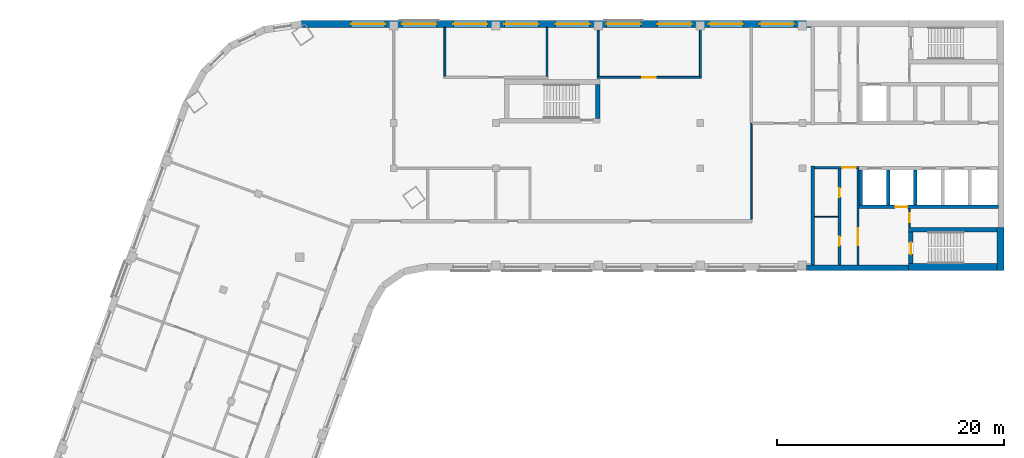
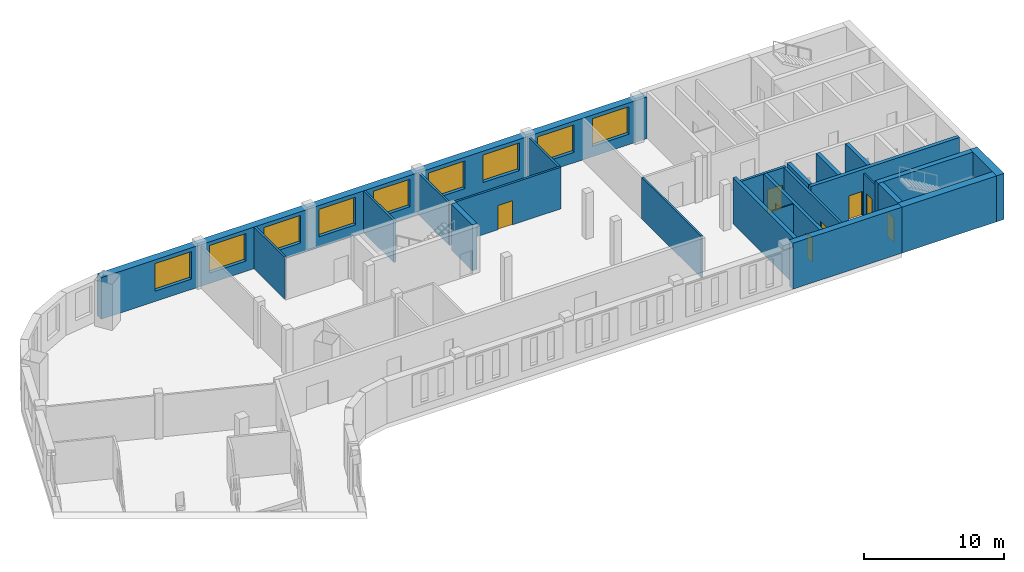
# One storey, part 5 of 8: 23 walls, 9 windows, 8 doors, 17 openings.
"""IFC4 building model written with IfcOpenShell, lengths in metres."""

from ifc_helpers import new_model, si_unit, direction, frame, frame_2d, origin, place, context, subcontext, project, spatial, rectangle, extrude, material, layer, layer_set, type_object, element, fill, save


model = new_model("IFC4")

# Units and contexts
model_context = context("Model", 3, precision=1e-05, world=origin(), true_north=direction((0.0, 1.0)))
body_context = subcontext(model_context, "Body", "Model", "MODEL_VIEW")
ifc_project = project(units=[si_unit("LENGTHUNIT", "METRE"), si_unit("AREAUNIT", "SQUARE_METRE"), si_unit("VOLUMEUNIT", "CUBIC_METRE"), si_unit("PLANEANGLEUNIT", "RADIAN"), si_unit("MASSUNIT", "GRAM", prefix="KILO")], contexts=[model_context])

# Site, building, storey
site_placement = place(None, origin())
site = spatial("IfcSite", under=ifc_project, at=site_placement, CompositionType="ELEMENT")
building_placement = place(site_placement, origin())
building = spatial("IfcBuilding", under=site, at=building_placement, Name="Skarvind Civic Tower", CompositionType="ELEMENT")
storey_placement = place(building_placement, frame((0.0, 0.0, 232.0)))
storey = spatial("IfcBuildingStorey", under=building, at=storey_placement, Name="L55", CompositionType="ELEMENT", Elevation=232.0)

# Walls
ifc_material_1 = material(Name="Acoustic gypsum board on steel studs", Category="steel")
ifc_layer_1 = layer(ifc_material_1, 0.175048828125)
ifc_layer_set_1 = layer_set([ifc_layer_1], Name="ACOUSTIC MEETING-ROOM PARTITION 175")
wall_type_1 = type_object("IfcWallType", Name="ACOUSTIC MEETING-ROOM PARTITION 175", PredefinedType="PARTITIONING", material=ifc_layer_set_1)
for number, where, z_axis, x_axis, name in (
    (1, (58.75, 134.087890625, 0.0), (0.0, 0.0, 1.0), (0.0, 1.0, 0.0), "Partition 55.033"),
    (2, (67.75, 138.39990234375, 0.0), (0.0, 0.0, 1.0), (0.0, -1.0, 0.0), "Partition 55.039"),
    (3, (72.25, 134.087890625, 0.0), (0.0, 0.0, 1.0), (0.0, 1.0, 0.0), "Partition 55.040"),
):
    element("IfcWall", number, at=place(storey_placement, frame(where, z_axis=z_axis, x_axis=x_axis)), inside=storey, type_object=wall_type_1, Name=name, PredefinedType="PARTITIONING", context=body_context, shape_type="SweptSolid", body=[
        extrude(rectangle(XDim=4.31201171875, YDim=0.175048828125, at=frame_2d((2.156005859375, 0.0))), origin(), (0.0, 0.0, 1.0), 3.625),
    ])

# Wall, opening, door
wall_1_placement = place(storey_placement, frame((81.337890625, 134.0, 0.0), z_axis=(0.0, 0.0, 1.0), x_axis=(-1.0, 0.0, 0.0)))
wall_1 = element("IfcWall", 4, at=wall_1_placement, inside=storey, type_object=wall_type_1, Name="Partition 55.041", PredefinedType="PARTITIONING", context=body_context, shape_type="SweptSolid", body=[
    extrude(rectangle(XDim=9.17578125, YDim=0.175048828125, at=frame_2d((4.587890625, 0.0))), origin(), (0.0, 0.0, 1.0), 3.625),
])
opening_1_placement = place(wall_1_placement, frame((3.988037109375, 0.0, 0.0)))
opening_1 = element("IfcOpeningElement", 5, at=opening_1_placement, cuts=wall_1, Name="Opening L55-D004", PredefinedType="OPENING", context=body_context, shape_type="SweptSolid", body=[
    extrude(rectangle(XDim=1.199951171875, YDim=2.10009765625, at=frame_2d((0.60009765625, 1.050048828125))), frame((0.0, 0.097412109375, 0.0), z_axis=(0.0, -1.0, 0.0), x_axis=(1.0, 0.0, 0.0)), (0.0, 0.0, 1.0), 0.195068359375),
])
ifc_material_2 = material(Name="Timber door leaf", Category="wood")
door_type_1 = type_object("IfcDoorType", Name="DOOR 1200X2100 DOUBLE TIMBER", OperationType="NOTDEFINED", PredefinedType="DOOR", material=ifc_material_2)
door_1_placement = place(opening_1_placement, origin())
door_1 = element("IfcDoor", 6, at=door_1_placement, inside=storey, type_object=door_type_1, Name="Door L55-D004", OperationType="DOUBLE_DOOR_SINGLE_SWING", OverallHeight=2.10009765625, OverallWidth=1.199951171875, PredefinedType="DOOR", context=body_context, shape_type="SweptSolid", body=[
    extrude(rectangle(XDim=1.199951171875, YDim=2.10009765625, at=frame_2d((0.60009765625, 1.050048828125))), frame((0.0, 0.02490234375, 0.0), z_axis=(0.0, -1.0, 0.0), x_axis=(1.0, 0.0, 0.0)), (0.0, 0.0, 1.0), 0.050048828125),
])
fill(opening_1, door_1)

# Wall
wall_2_placement = place(storey_placement, frame((81.25, 138.39990234375, 0.0), z_axis=(0.0, 0.0, 1.0), x_axis=(0.0, -1.0, 0.0)))
element("IfcWall", 7, at=wall_2_placement, inside=storey, type_object=wall_type_1, Name="Partition 55.042", PredefinedType="PARTITIONING", context=body_context, shape_type="SweptSolid", body=[
    extrude(rectangle(XDim=4.31201171875, YDim=0.175048828125, at=frame_2d((2.156005859375, 0.0))), origin(), (0.0, 0.0, 1.0), 3.625),
])

# Wall, opening, door
ifc_material_3 = material(Name="Fire-rated masonry partition", Category="masonry")
ifc_layer_2 = layer(ifc_material_3, 0.199951171875)
ifc_layer_set_2 = layer_set([ifc_layer_2], Name="Core enclosure wall 200")
wall_type_2 = type_object("IfcWallType", Name="Core enclosure wall 200", PredefinedType="PARTITIONING", material=ifc_layer_set_2)
wall_3_placement = place(storey_placement, frame((95.25, 126.050048828125, 0.0), z_axis=(0.0, 0.0, 1.0), x_axis=(-1.0, 0.0, 0.0)))
wall_3 = element("IfcWall", 8, at=wall_3_placement, inside=storey, type_object=wall_type_2, Name="Core wall C1", PredefinedType="PARTITIONING", context=body_context, shape_type="SweptSolid", body=[
    extrude(rectangle(XDim=3.949951171875, YDim=0.199951171875, at=frame_2d((1.97509765625, 0.0))), origin(), (0.0, 0.0, 1.0), 3.625),
])
opening_2_placement = place(wall_3_placement, frame((0.300048828125, 0.0, 0.0)))
opening_2 = element("IfcOpeningElement", 9, at=opening_2_placement, cuts=wall_3, Name="Opening D-L55-C1-07", PredefinedType="OPENING", context=body_context, shape_type="SweptSolid", body=[
    extrude(rectangle(XDim=1.199951171875, YDim=2.10009765625, at=frame_2d((0.60009765625, 1.050048828125))), frame((0.0, 0.10986328125, 0.0), z_axis=(0.0, -1.0, 0.0), x_axis=(1.0, 0.0, 0.0)), (0.0, 0.0, 1.0), 0.219970703125),
])
ifc_material_4 = material(Name="Fire-rated steel door", Category="steel")
door_type_2 = type_object("IfcDoorType", Name="Core lobby door 1200", OperationType="NOTDEFINED", PredefinedType="DOOR", material=ifc_material_4)
door_2_placement = place(opening_2_placement, origin())
door_2 = element("IfcDoor", 10, at=door_2_placement, inside=storey, type_object=door_type_2, Name="Fire door", OperationType="DOUBLE_DOOR_SINGLE_SWING", OverallHeight=2.10009765625, OverallWidth=1.199951171875, PredefinedType="DOOR", context=body_context, shape_type="SweptSolid", body=[
    extrude(rectangle(XDim=1.199951171875, YDim=2.10009765625, at=frame_2d((0.60009765625, 1.050048828125))), frame((0.0, 0.02490234375, 0.0), z_axis=(0.0, -1.0, 0.0), x_axis=(1.0, 0.0, 0.0)), (0.0, 0.0, 1.0), 0.050048828125),
])
fill(opening_2, door_2)

wall_4_placement = place(storey_placement, frame((95.14990234375, 117.5, 0.0), z_axis=(0.0, 0.0, 1.0), x_axis=(0.0, 1.0, 0.0)))
wall_4 = element("IfcWall", 11, at=wall_4_placement, inside=storey, type_object=wall_type_2, Name="Core wall C1", PredefinedType="PARTITIONING", context=body_context, shape_type="SweptSolid", body=[
    extrude(rectangle(XDim=8.449951171875, YDim=0.199951171875, at=frame_2d((4.22509765625, 0.0))), origin(), (0.0, 0.0, 1.0), 3.625),
])
opening_3_placement = place(wall_4_placement, frame((1.72509765625, 0.0, 0.0)))
opening_3 = element("IfcOpeningElement", 12, at=opening_3_placement, cuts=wall_4, Name="Opening D-L55-C1-08", PredefinedType="OPENING", context=body_context, shape_type="SweptSolid", body=[
    extrude(rectangle(XDim=1.5, YDim=2.10009765625, at=frame_2d((0.75, 1.050048828125))), frame((0.0, 0.10986328125, 0.0), z_axis=(0.0, -1.0, 0.0), x_axis=(1.0, 0.0, 0.0)), (0.0, 0.0, 1.0), 0.219970703125),
])
door_type_3 = type_object("IfcDoorType", Name="Fire door 1500", OperationType="NOTDEFINED", PredefinedType="DOOR", material=ifc_material_4)
door_3_placement = place(opening_3_placement, origin())
door_3 = element("IfcDoor", 13, at=door_3_placement, inside=storey, type_object=door_type_3, Name="Fire door", OperationType="DOUBLE_DOOR_SINGLE_SWING", OverallHeight=2.10009765625, OverallWidth=1.5, PredefinedType="DOOR", context=body_context, shape_type="SweptSolid", body=[
    extrude(rectangle(XDim=1.5, YDim=2.10009765625, at=frame_2d((0.75, 1.050048828125))), frame((0.0, 0.02490234375, 0.0), z_axis=(0.0, -1.0, 0.0), x_axis=(1.0, 0.0, 0.0)), (0.0, 0.0, 1.0), 0.050048828125),
])
fill(opening_3, door_3)

# Wall
ifc_material_5 = material(Name="Fire-rated plasterboard partition")
ifc_layer_3 = layer(ifc_material_5, 0.10009765625)
ifc_layer_set_3 = layer_set([ifc_layer_3], Name="Core partition wall 100")
wall_type_3 = type_object("IfcWallType", Name="Core partition wall 100", PredefinedType="PARTITIONING", material=ifc_layer_set_3)
wall_5_placement = place(storey_placement, frame((93.39990234375, 121.719970703125, 0.0), z_axis=(0.0, 0.0, 1.0), x_axis=(-1.0, 0.0, 0.0)))
element("IfcWall", 14, at=wall_5_placement, inside=storey, type_object=wall_type_3, Name="Core wall C1", PredefinedType="PARTITIONING", context=body_context, shape_type="SweptSolid", body=[
    extrude(rectangle(XDim=2.099853515625, YDim=0.10009765625, at=frame_2d((1.0498046875, 0.0))), origin(), (0.0, 0.0, 1.0), 3.625),
])

# Wall, opening, door
ifc_material_6 = material(Name="Concrete C60", Category="concrete")
ifc_layer_4 = layer(ifc_material_6, 0.300048828125)
ifc_layer_set_4 = layer_set([ifc_layer_4], Name="Core wall 300 C60")
wall_type_4 = type_object("IfcWallType", Name="Core wall 300 C60", PredefinedType="SHEAR", material=ifc_layer_set_4)
wall_6_placement = place(storey_placement, frame((107.5, 122.60009765625, 0.0), z_axis=(0.0, 0.0, 1.0), x_axis=(-1.0, 0.0, 0.0)))
wall_6 = element("IfcWall", 15, at=wall_6_placement, inside=storey, type_object=wall_type_4, Name="Core wall C1 north lift row back L55", PredefinedType="SHEAR", context=body_context, shape_type="SweptSolid", body=[
    extrude(rectangle(XDim=12.25, YDim=0.300048828125, at=frame_2d((6.125, 0.0))), origin(), (0.0, 0.0, 1.0), 4.0),
])
opening_4_placement = place(wall_6_placement, frame((8.0, 0.0, 0.0)))
opening_4 = element("IfcOpeningElement", 16, at=opening_4_placement, cuts=wall_6, Name="Opening LD57104", PredefinedType="OPENING", context=body_context, shape_type="SweptSolid", body=[
    extrude(rectangle(XDim=1.10009765625, YDim=2.10009765625, at=frame_2d((0.550048828125, 1.050048828125))), frame((0.0, 0.159912109375, 0.0), z_axis=(0.0, -1.0, 0.0), x_axis=(1.0, 0.0, 0.0)), (0.0, 0.0, 1.0), 0.320068359375),
])
ifc_material_7 = material(Name="Stainless steel landing door", Category="steel")
door_type_4 = type_object("IfcDoorType", Name="Lift landing door 1100", OperationType="DOUBLE_DOOR_SLIDING", PredefinedType="DOOR", material=ifc_material_7)
door_4_placement = place(opening_4_placement, origin())
door_4 = element("IfcDoor", 17, at=door_4_placement, inside=storey, type_object=door_type_4, Name="Lift landing door", OperationType="DOUBLE_DOOR_SLIDING", OverallHeight=2.10009765625, OverallWidth=1.10009765625, PredefinedType="DOOR", context=body_context, shape_type="SweptSolid", body=[
    extrude(rectangle(XDim=1.10009765625, YDim=2.10009765625, at=frame_2d((0.550048828125, 1.050048828125))), frame((0.0, 0.02490234375, 0.0), z_axis=(0.0, -1.0, 0.0), x_axis=(1.0, 0.0, 0.0)), (0.0, 0.0, 1.0), 0.050048828125),
])
fill(opening_4, door_4)

# Walls
for number, where, z_axis, x_axis, name in (
    (18, (100.199951171875, 125.85009765625, 0.0), (0.0, 0.0, 1.0), (0.0, -1.0, 0.0), "Core wall C1 north lift row division 3 L55"),
    (19, (97.800048828125, 125.85009765625, 0.0), (0.0, 0.0, 1.0), (0.0, -1.0, 0.0), "Core wall C1 north lift row division 4 L55"),
    (20, (95.39990234375, 125.85009765625, 0.0), (0.0, 0.0, 1.0), (0.0, -1.0, 0.0), "Core wall C1 north lift row division 5 L55"),
):
    element("IfcWall", number, at=place(storey_placement, frame(where, z_axis=z_axis, x_axis=x_axis)), inside=storey, type_object=wall_type_4, Name=name, PredefinedType="SHEAR", context=body_context, shape_type="SweptSolid", body=[
        extrude(rectangle(XDim=3.10009765625, YDim=0.300048828125, at=frame_2d((1.550048828125, 0.0))), origin(), (0.0, 0.0, 1.0), 4.0),
    ])
wall_7_placement = place(storey_placement, frame((91.14990234375, 126.199951171875, 0.0), z_axis=(0.0, 0.0, 1.0), x_axis=(0.0, -1.0, 0.0)))
element("IfcWall", 21, at=wall_7_placement, inside=storey, type_object=wall_type_4, Name="Core wall C1 north inner face L55", PredefinedType="SHEAR", context=body_context, shape_type="SweptSolid", body=[
    extrude(rectangle(XDim=8.699951171875, YDim=0.300048828125, at=frame_2d((4.35009765625, 0.0))), origin(), (0.0, 0.0, 1.0), 4.0),
])
ifc_layer_5 = layer(ifc_material_6, 0.39990234375)
ifc_layer_set_5 = layer_set([ifc_layer_5], Name="Core wall 400 C60")
wall_type_5 = type_object("IfcWallType", Name="Core wall 400 C60", PredefinedType="SHEAR", material=ifc_layer_set_5)
wall_8_placement = place(storey_placement, frame((107.39990234375, 120.60009765625, 0.0), z_axis=(0.0, 0.0, 1.0), x_axis=(-1.0, 0.0, 0.0)))
element("IfcWall", 22, at=wall_8_placement, inside=storey, type_object=wall_type_5, Name="Core wall C1 north stair inner L55", PredefinedType="SHEAR", context=body_context, shape_type="SweptSolid", body=[
    extrude(rectangle(XDim=7.7998046875, YDim=0.39990234375, at=frame_2d((3.89990234375, 0.0))), origin(), (0.0, 0.0, 1.0), 4.0),
])

# Wall, opening, door
wall_9_placement = place(storey_placement, frame((99.800048828125, 120.39990234375, 0.0), z_axis=(0.0, 0.0, 1.0), x_axis=(0.0, -1.0, 0.0)))
wall_9 = element("IfcWall", 23, at=wall_9_placement, inside=storey, type_object=wall_type_5, Name="Core wall C1 north stair end L55", PredefinedType="SHEAR", context=body_context, shape_type="SweptSolid", body=[
    extrude(rectangle(XDim=2.7998046875, YDim=0.39990234375, at=frame_2d((1.39990234375, 0.0))), origin(), (0.0, 0.0, 1.0), 4.0),
])
opening_5_placement = place(wall_9_placement, frame((0.949951171875, 0.0, 0.0)))
opening_5 = element("IfcOpeningElement", 24, at=opening_5_placement, cuts=wall_9, Name="Opening D-L55-C1-09", PredefinedType="OPENING", context=body_context, shape_type="SweptSolid", body=[
    extrude(rectangle(XDim=1.0, YDim=2.10009765625, at=frame_2d((0.5, 1.050048828125))), frame((0.0, 0.2099609375, 0.0), z_axis=(0.0, -1.0, 0.0), x_axis=(1.0, 0.0, 0.0)), (0.0, 0.0, 1.0), 0.419921875),
])
door_type_5 = type_object("IfcDoorType", Name="Fire door 1000", OperationType="NOTDEFINED", PredefinedType="DOOR", material=ifc_material_4)
door_5_placement = place(opening_5_placement, origin())
door_5 = element("IfcDoor", 25, at=door_5_placement, inside=storey, type_object=door_type_5, Name="Fire door", OperationType="SINGLE_SWING_LEFT", OverallHeight=2.10009765625, OverallWidth=1.0, PredefinedType="DOOR", context=body_context, shape_type="SweptSolid", body=[
    extrude(rectangle(XDim=1.0, YDim=2.10009765625, at=frame_2d((0.5, 1.050048828125))), frame((0.0, 0.02490234375, 0.0), z_axis=(0.0, -1.0, 0.0), x_axis=(1.0, 0.0, 0.0)), (0.0, 0.0, 1.0), 0.050048828125),
])
fill(opening_5, door_5)

# Walls
wall_10_placement = place(storey_placement, frame((72.199951171875, 130.39990234375, 0.0), z_axis=(0.0, 0.0, 1.0), x_axis=(0.0, 1.0, 0.0)))
element("IfcWall", 26, at=wall_10_placement, inside=storey, type_object=wall_type_5, Name="Core wall CM end L55", PredefinedType="SHEAR", context=body_context, shape_type="SweptSolid", body=[
    extrude(rectangle(XDim=3.0, YDim=0.39990234375, at=frame_2d((1.5, 0.0))), origin(), (0.0, 0.0, 1.0), 4.0),
])
ifc_layer_6 = layer(ifc_material_6, 0.5)
ifc_layer_set_6 = layer_set([ifc_layer_6], Name="Core wall 500 C60")
wall_type_6 = type_object("IfcWallType", Name="Core wall 500 C60", PredefinedType="SHEAR", material=ifc_layer_set_6)
wall_11_placement = place(storey_placement, frame((99.60009765625, 117.25, 0.0), z_axis=(0.0, 0.0, 1.0), x_axis=(-1.0, 0.0, 0.0)))
element("IfcWall", 27, at=wall_11_placement, inside=storey, type_object=wall_type_6, Name="Core wall C1 north side L55", PredefinedType="SHEAR", context=body_context, shape_type="SweptSolid", body=[
    extrude(rectangle(XDim=8.97509765625, YDim=0.5, at=frame_2d((4.487548828125, 0.0))), origin(), (0.0, 0.0, 1.0), 4.0),
])
ifc_layer_7 = layer(ifc_material_6, 0.60009765625)
ifc_layer_set_7 = layer_set([ifc_layer_7], Name="Core wall 600 C60")
wall_type_7 = type_object("IfcWallType", Name="Core wall 600 C60", PredefinedType="SHEAR", material=ifc_layer_set_7)
wall_12_placement = place(storey_placement, frame((107.699951171875, 120.800048828125, 0.0), z_axis=(0.0, 0.0, 1.0), x_axis=(0.0, -1.0, 0.0)))
element("IfcWall", 28, at=wall_12_placement, inside=storey, type_object=wall_type_7, Name="Core wall C1 tip at the north stair L55", PredefinedType="SHEAR", context=body_context, shape_type="SweptSolid", body=[
    extrude(rectangle(XDim=3.800048828125, YDim=0.60009765625, at=frame_2d((1.89990234375, 0.0))), origin(), (0.0, 0.0, 1.0), 4.0),
])
wall_13_placement = place(storey_placement, frame((107.39990234375, 117.300048828125, 0.0), z_axis=(0.0, 0.0, 1.0), x_axis=(-1.0, 0.0, 0.0)))
element("IfcWall", 29, at=wall_13_placement, inside=storey, type_object=wall_type_7, Name="Core wall C1 north side at the stair L55", PredefinedType="SHEAR", context=body_context, shape_type="SweptSolid", body=[
    extrude(rectangle(XDim=7.7998046875, YDim=0.60009765625, at=frame_2d((3.89990234375, 0.0))), origin(), (0.0, 0.0, 1.0), 4.0),
])
ifc_material_8 = material(Name="Plasterboard partition on steel studs", Category="steel")
ifc_layer_8 = layer(ifc_material_8, 0.14990234375)
ifc_layer_set_8 = layer_set([ifc_layer_8], Name="PARTITION 150")
wall_type_8 = type_object("IfcWallType", Name="PARTITION 150", PredefinedType="PARTITIONING", material=ifc_layer_set_8)
wall_14_placement = place(storey_placement, frame((85.75, 121.5, 0.0), z_axis=(0.0, 0.0, 1.0), x_axis=(0.0, 1.0, 0.0)))
element("IfcWall", 30, at=wall_14_placement, inside=storey, type_object=wall_type_8, Name="Partition 55.043", PredefinedType="PARTITIONING", context=body_context, shape_type="SweptSolid", body=[
    extrude(rectangle(XDim=8.449951171875, YDim=0.14990234375, at=frame_2d((4.22509765625, 0.0))), origin(), (0.0, 0.0, 1.0), 3.625),
])

# Wall, opening, door
ifc_layer_9 = layer(ifc_material_3, 0.125)
ifc_layer_set_9 = layer_set([ifc_layer_9], Name="Riser wall 125")
wall_type_9 = type_object("IfcWallType", Name="Riser wall 125", PredefinedType="PARTITIONING", material=ifc_layer_set_9)
wall_15_placement = place(storey_placement, frame((99.66259765625, 120.800048828125, 0.0), z_axis=(0.0, 0.0, 1.0), x_axis=(0.0, 1.0, 0.0)))
wall_15 = element("IfcWall", 31, at=wall_15_placement, inside=storey, type_object=wall_type_9, Name="Core wall C1", PredefinedType="PARTITIONING", context=body_context, shape_type="SweptSolid", body=[
    extrude(rectangle(XDim=1.64990234375, YDim=0.125, at=frame_2d((0.824951171875, 0.0))), origin(), (0.0, 0.0, 1.0), 3.625),
])
opening_6_placement = place(wall_15_placement, frame((0.425048828125, 0.0, 0.0)))
opening_6 = element("IfcOpeningElement", 32, at=opening_6_placement, cuts=wall_15, Name="Opening D-L55-C1-10", PredefinedType="OPENING", context=body_context, shape_type="SweptSolid", body=[
    extrude(rectangle(XDim=0.800048828125, YDim=2.10009765625, at=frame_2d((0.39990234375, 1.050048828125))), frame((0.0, 0.072509765625, 0.0), z_axis=(0.0, -1.0, 0.0), x_axis=(1.0, 0.0, 0.0)), (0.0, 0.0, 1.0), 0.14501953125),
])
door_type_6 = type_object("IfcDoorType", Name="Core riser door 800", OperationType="NOTDEFINED", PredefinedType="DOOR", material=ifc_material_4)
door_6_placement = place(opening_6_placement, origin())
door_6 = element("IfcDoor", 33, at=door_6_placement, inside=storey, type_object=door_type_6, Name="Riser door", OperationType="SINGLE_SWING_RIGHT", OverallHeight=2.10009765625, OverallWidth=0.800048828125, PredefinedType="DOOR", context=body_context, shape_type="SweptSolid", body=[
    extrude(rectangle(XDim=0.800048828125, YDim=2.10009765625, at=frame_2d((0.39990234375, 1.050048828125))), frame((0.0, 0.02490234375, 0.0), z_axis=(0.0, -1.0, 0.0), x_axis=(1.0, 0.0, 0.0)), (0.0, 0.0, 1.0), 0.050048828125),
])
fill(opening_6, door_6)

# Wall, openings, doors
ifc_layer_10 = layer(ifc_material_3, 0.25)
ifc_layer_set_10 = layer_set([ifc_layer_10], Name="Service block wall 250")
wall_type_10 = type_object("IfcWallType", Name="Service block wall 250", PredefinedType="PARTITIONING", material=ifc_layer_set_10)
wall_16_placement = place(storey_placement, frame((93.52490234375, 117.5, 0.0), z_axis=(0.0, 0.0, 1.0), x_axis=(0.0, 1.0, 0.0)))
wall_16 = element("IfcWall", 34, at=wall_16_placement, inside=storey, type_object=wall_type_10, Name="Core wall C1", PredefinedType="PARTITIONING", context=body_context, shape_type="SweptSolid", body=[
    extrude(rectangle(XDim=8.449951171875, YDim=0.25, at=frame_2d((4.22509765625, 0.0))), origin(), (0.0, 0.0, 1.0), 3.625),
])
opening_7_placement = place(wall_16_placement, frame((5.9599609375, 0.0, 0.0)))
opening_7 = element("IfcOpeningElement", 35, at=opening_7_placement, cuts=wall_16, Name="Opening D-L55-C1-11", PredefinedType="OPENING", context=body_context, shape_type="SweptSolid", body=[
    extrude(rectangle(XDim=0.800048828125, YDim=2.10009765625, at=frame_2d((0.39990234375, 1.050048828125))), frame((0.0, 0.135009765625, 0.0), z_axis=(0.0, -1.0, 0.0), x_axis=(1.0, 0.0, 0.0)), (0.0, 0.0, 1.0), 0.27001953125),
])
opening_8_placement = place(wall_16_placement, frame((1.68505859375, 0.0, 0.0)))
opening_8 = element("IfcOpeningElement", 36, at=opening_8_placement, cuts=wall_16, Name="Opening D-L55-C1-12", PredefinedType="OPENING", context=body_context, shape_type="SweptSolid", body=[
    extrude(rectangle(XDim=0.800048828125, YDim=2.10009765625, at=frame_2d((0.39990234375, 1.050048828125))), frame((0.0, 0.135009765625, 0.0), z_axis=(0.0, -1.0, 0.0), x_axis=(1.0, 0.0, 0.0)), (0.0, 0.0, 1.0), 0.27001953125),
])
door_7_placement = place(opening_7_placement, origin())
door_7 = element("IfcDoor", 37, at=door_7_placement, inside=storey, type_object=door_type_6, Name="Riser door", OperationType="SINGLE_SWING_LEFT", OverallHeight=2.10009765625, OverallWidth=0.800048828125, PredefinedType="DOOR", context=body_context, shape_type="SweptSolid", body=[
    extrude(rectangle(XDim=0.800048828125, YDim=2.10009765625, at=frame_2d((0.39990234375, 1.050048828125))), frame((0.0, 0.02490234375, 0.0), z_axis=(0.0, -1.0, 0.0), x_axis=(1.0, 0.0, 0.0)), (0.0, 0.0, 1.0), 0.050048828125),
])
fill(opening_7, door_7)
door_8_placement = place(opening_8_placement, origin())
door_8 = element("IfcDoor", 38, at=door_8_placement, inside=storey, type_object=door_type_6, Name="Riser door", OperationType="SINGLE_SWING_RIGHT", OverallHeight=2.10009765625, OverallWidth=0.800048828125, PredefinedType="DOOR", context=body_context, shape_type="SweptSolid", body=[
    extrude(rectangle(XDim=0.800048828125, YDim=2.10009765625, at=frame_2d((0.39990234375, 1.050048828125))), frame((0.0, 0.02490234375, 0.0), z_axis=(0.0, -1.0, 0.0), x_axis=(1.0, 0.0, 0.0)), (0.0, 0.0, 1.0), 0.050048828125),
])
fill(opening_8, door_8)

# Wall, openings, windows
ifc_material_9 = material(Name="Limestone masonry cladding on insulated backing", Category="masonry")
ifc_layer_11 = layer(ifc_material_9, 0.60009765625)
ifc_layer_set_11 = layer_set([ifc_layer_11], Name="WX1 STONE FACADE WALL 600")
wall_type_11 = type_object("IfcWallType", Name="WX1 STONE FACADE WALL 600", PredefinedType="SOLIDWALL", material=ifc_layer_set_11)
wall_17_placement = place(storey_placement, frame((46.095458984375, 138.699951171875, 0.0), z_axis=(0.0, 0.0, 1.0), x_axis=(1.0, 0.0, 0.0)))
wall_17 = element("IfcWall", 39, at=wall_17_placement, inside=storey, type_object=wall_type_11, Name="STONE FACADE WALL", PredefinedType="SOLIDWALL", context=body_context, shape_type="SweptSolid", body=[
    extrude(rectangle(XDim=44.884521484375, YDim=0.60009765625, at=frame_2d((22.4423828125, 0.0))), origin(), (0.0, 0.0, 1.0), 3.625),
])
opening_9_placement = place(wall_17_placement, frame((4.404541015625, 0.0, 0.89990234375)))
opening_9 = element("IfcOpeningElement", 40, at=opening_9_placement, cuts=wall_17, Name="Opening WN1", PredefinedType="OPENING", context=body_context, shape_type="SweptSolid", body=[
    extrude(rectangle(XDim=3.0, YDim=2.39990234375, at=frame_2d((1.5, 1.199951171875))), frame((0.0, 0.31005859375, 0.0), z_axis=(0.0, -1.0, 0.0), x_axis=(1.0, 0.0, 0.0)), (0.0, 0.0, 1.0), 0.6201171875),
])
opening_10_placement = place(wall_17_placement, frame((8.904541015625, 0.0, 0.89990234375)))
opening_10 = element("IfcOpeningElement", 41, at=opening_10_placement, cuts=wall_17, Name="Opening WN1", PredefinedType="OPENING", context=body_context, shape_type="SweptSolid", body=[
    extrude(rectangle(XDim=3.0, YDim=2.39990234375, at=frame_2d((1.5, 1.199951171875))), frame((0.0, 0.31005859375, 0.0), z_axis=(0.0, -1.0, 0.0), x_axis=(1.0, 0.0, 0.0)), (0.0, 0.0, 1.0), 0.6201171875),
])
opening_11_placement = place(wall_17_placement, frame((13.404541015625, 0.0, 0.89990234375)))
opening_11 = element("IfcOpeningElement", 42, at=opening_11_placement, cuts=wall_17, Name="Opening WN1", PredefinedType="OPENING", context=body_context, shape_type="SweptSolid", body=[
    extrude(rectangle(XDim=3.0, YDim=2.39990234375, at=frame_2d((1.5, 1.199951171875))), frame((0.0, 0.31005859375, 0.0), z_axis=(0.0, -1.0, 0.0), x_axis=(1.0, 0.0, 0.0)), (0.0, 0.0, 1.0), 0.6201171875),
])
opening_12_placement = place(wall_17_placement, frame((17.904541015625, 0.0, 0.89990234375)))
opening_12 = element("IfcOpeningElement", 43, at=opening_12_placement, cuts=wall_17, Name="Opening WN1", PredefinedType="OPENING", context=body_context, shape_type="SweptSolid", body=[
    extrude(rectangle(XDim=3.0, YDim=2.39990234375, at=frame_2d((1.5, 1.199951171875))), frame((0.0, 0.31005859375, 0.0), z_axis=(0.0, -1.0, 0.0), x_axis=(1.0, 0.0, 0.0)), (0.0, 0.0, 1.0), 0.6201171875),
])
opening_13_placement = place(wall_17_placement, frame((22.404541015625, 0.0, 0.89990234375)))
opening_13 = element("IfcOpeningElement", 44, at=opening_13_placement, cuts=wall_17, Name="Opening WN1", PredefinedType="OPENING", context=body_context, shape_type="SweptSolid", body=[
    extrude(rectangle(XDim=3.0, YDim=2.39990234375, at=frame_2d((1.5, 1.199951171875))), frame((0.0, 0.31005859375, 0.0), z_axis=(0.0, -1.0, 0.0), x_axis=(1.0, 0.0, 0.0)), (0.0, 0.0, 1.0), 0.6201171875),
])
opening_14_placement = place(wall_17_placement, frame((26.904541015625, 0.0, 0.89990234375)))
opening_14 = element("IfcOpeningElement", 45, at=opening_14_placement, cuts=wall_17, Name="Opening WN1", PredefinedType="OPENING", context=body_context, shape_type="SweptSolid", body=[
    extrude(rectangle(XDim=3.0, YDim=2.39990234375, at=frame_2d((1.5, 1.199951171875))), frame((0.0, 0.31005859375, 0.0), z_axis=(0.0, -1.0, 0.0), x_axis=(1.0, 0.0, 0.0)), (0.0, 0.0, 1.0), 0.6201171875),
])
opening_15_placement = place(wall_17_placement, frame((31.404541015625, 0.0, 0.89990234375)))
opening_15 = element("IfcOpeningElement", 46, at=opening_15_placement, cuts=wall_17, Name="Opening WN1", PredefinedType="OPENING", context=body_context, shape_type="SweptSolid", body=[
    extrude(rectangle(XDim=3.0, YDim=2.39990234375, at=frame_2d((1.5, 1.199951171875))), frame((0.0, 0.31005859375, 0.0), z_axis=(0.0, -1.0, 0.0), x_axis=(1.0, 0.0, 0.0)), (0.0, 0.0, 1.0), 0.6201171875),
])
opening_16_placement = place(wall_17_placement, frame((35.904541015625, 0.0, 0.89990234375)))
opening_16 = element("IfcOpeningElement", 47, at=opening_16_placement, cuts=wall_17, Name="Opening WN1", PredefinedType="OPENING", context=body_context, shape_type="SweptSolid", body=[
    extrude(rectangle(XDim=3.0, YDim=2.39990234375, at=frame_2d((1.5, 1.199951171875))), frame((0.0, 0.31005859375, 0.0), z_axis=(0.0, -1.0, 0.0), x_axis=(1.0, 0.0, 0.0)), (0.0, 0.0, 1.0), 0.6201171875),
])
opening_17_placement = place(wall_17_placement, frame((40.404541015625, 0.0, 0.89990234375)))
opening_17 = element("IfcOpeningElement", 48, at=opening_17_placement, cuts=wall_17, Name="Opening WN1", PredefinedType="OPENING", context=body_context, shape_type="SweptSolid", body=[
    extrude(rectangle(XDim=3.0, YDim=2.39990234375, at=frame_2d((1.5, 1.199951171875))), frame((0.0, 0.31005859375, 0.0), z_axis=(0.0, -1.0, 0.0), x_axis=(1.0, 0.0, 0.0)), (0.0, 0.0, 1.0), 0.6201171875),
])
ifc_material_10 = material(Name="Timber frame, double glazing, timber-lined reveal", Category="wood")
window_type = type_object("IfcWindowType", Name="WN1 PUNCHED STONE WINDOW 3000 x 2400", PartitioningType="SINGLE_PANEL", PredefinedType="WINDOW", material=ifc_material_10)
window_1_placement = place(opening_9_placement, origin())
window_1 = element("IfcWindow", 49, at=window_1_placement, inside=storey, type_object=window_type, Name="WN1 WINDOW", OverallHeight=2.39990234375, OverallWidth=3.0, PartitioningType="SINGLE_PANEL", PredefinedType="WINDOW", context=body_context, shape_type="SweptSolid", body=[
    extrude(rectangle(XDim=3.0, YDim=2.39990234375, at=frame_2d((1.5, 1.199951171875))), frame((0.0, 0.030029296875, 0.0), z_axis=(0.0, -1.0, 0.0), x_axis=(1.0, 0.0, 0.0)), (0.0, 0.0, 1.0), 0.06005859375),
])
fill(opening_9, window_1)
window_2_placement = place(opening_10_placement, origin())
window_2 = element("IfcWindow", 50, at=window_2_placement, inside=storey, type_object=window_type, Name="WN1 WINDOW", OverallHeight=2.39990234375, OverallWidth=3.0, PartitioningType="SINGLE_PANEL", PredefinedType="WINDOW", context=body_context, shape_type="SweptSolid", body=[
    extrude(rectangle(XDim=3.0, YDim=2.39990234375, at=frame_2d((1.5, 1.199951171875))), frame((0.0, 0.030029296875, 0.0), z_axis=(0.0, -1.0, 0.0), x_axis=(1.0, 0.0, 0.0)), (0.0, 0.0, 1.0), 0.06005859375),
])
fill(opening_10, window_2)
window_3_placement = place(opening_11_placement, origin())
window_3 = element("IfcWindow", 51, at=window_3_placement, inside=storey, type_object=window_type, Name="WN1 WINDOW", OverallHeight=2.39990234375, OverallWidth=3.0, PartitioningType="SINGLE_PANEL", PredefinedType="WINDOW", context=body_context, shape_type="SweptSolid", body=[
    extrude(rectangle(XDim=3.0, YDim=2.39990234375, at=frame_2d((1.5, 1.199951171875))), frame((0.0, 0.030029296875, 0.0), z_axis=(0.0, -1.0, 0.0), x_axis=(1.0, 0.0, 0.0)), (0.0, 0.0, 1.0), 0.06005859375),
])
fill(opening_11, window_3)
window_4_placement = place(opening_12_placement, origin())
window_4 = element("IfcWindow", 52, at=window_4_placement, inside=storey, type_object=window_type, Name="WN1 WINDOW", OverallHeight=2.39990234375, OverallWidth=3.0, PartitioningType="SINGLE_PANEL", PredefinedType="WINDOW", context=body_context, shape_type="SweptSolid", body=[
    extrude(rectangle(XDim=3.0, YDim=2.39990234375, at=frame_2d((1.5, 1.199951171875))), frame((0.0, 0.030029296875, 0.0), z_axis=(0.0, -1.0, 0.0), x_axis=(1.0, 0.0, 0.0)), (0.0, 0.0, 1.0), 0.06005859375),
])
fill(opening_12, window_4)
window_5_placement = place(opening_13_placement, origin())
window_5 = element("IfcWindow", 53, at=window_5_placement, inside=storey, type_object=window_type, Name="WN1 WINDOW", OverallHeight=2.39990234375, OverallWidth=3.0, PartitioningType="SINGLE_PANEL", PredefinedType="WINDOW", context=body_context, shape_type="SweptSolid", body=[
    extrude(rectangle(XDim=3.0, YDim=2.39990234375, at=frame_2d((1.5, 1.199951171875))), frame((0.0, 0.030029296875, 0.0), z_axis=(0.0, -1.0, 0.0), x_axis=(1.0, 0.0, 0.0)), (0.0, 0.0, 1.0), 0.06005859375),
])
fill(opening_13, window_5)
window_6_placement = place(opening_14_placement, origin())
window_6 = element("IfcWindow", 54, at=window_6_placement, inside=storey, type_object=window_type, Name="WN1 WINDOW", OverallHeight=2.39990234375, OverallWidth=3.0, PartitioningType="SINGLE_PANEL", PredefinedType="WINDOW", context=body_context, shape_type="SweptSolid", body=[
    extrude(rectangle(XDim=3.0, YDim=2.39990234375, at=frame_2d((1.5, 1.199951171875))), frame((0.0, 0.030029296875, 0.0), z_axis=(0.0, -1.0, 0.0), x_axis=(1.0, 0.0, 0.0)), (0.0, 0.0, 1.0), 0.06005859375),
])
fill(opening_14, window_6)
window_7_placement = place(opening_15_placement, origin())
window_7 = element("IfcWindow", 55, at=window_7_placement, inside=storey, type_object=window_type, Name="WN1 WINDOW", OverallHeight=2.39990234375, OverallWidth=3.0, PartitioningType="SINGLE_PANEL", PredefinedType="WINDOW", context=body_context, shape_type="SweptSolid", body=[
    extrude(rectangle(XDim=3.0, YDim=2.39990234375, at=frame_2d((1.5, 1.199951171875))), frame((0.0, 0.030029296875, 0.0), z_axis=(0.0, -1.0, 0.0), x_axis=(1.0, 0.0, 0.0)), (0.0, 0.0, 1.0), 0.06005859375),
])
fill(opening_15, window_7)
window_8_placement = place(opening_16_placement, origin())
window_8 = element("IfcWindow", 56, at=window_8_placement, inside=storey, type_object=window_type, Name="WN1 WINDOW", OverallHeight=2.39990234375, OverallWidth=3.0, PartitioningType="SINGLE_PANEL", PredefinedType="WINDOW", context=body_context, shape_type="SweptSolid", body=[
    extrude(rectangle(XDim=3.0, YDim=2.39990234375, at=frame_2d((1.5, 1.199951171875))), frame((0.0, 0.030029296875, 0.0), z_axis=(0.0, -1.0, 0.0), x_axis=(1.0, 0.0, 0.0)), (0.0, 0.0, 1.0), 0.06005859375),
])
fill(opening_16, window_8)
window_9_placement = place(opening_17_placement, origin())
window_9 = element("IfcWindow", 57, at=window_9_placement, inside=storey, type_object=window_type, Name="WN1 WINDOW", OverallHeight=2.39990234375, OverallWidth=3.0, PartitioningType="SINGLE_PANEL", PredefinedType="WINDOW", context=body_context, shape_type="SweptSolid", body=[
    extrude(rectangle(XDim=3.0, YDim=2.39990234375, at=frame_2d((1.5, 1.199951171875))), frame((0.0, 0.030029296875, 0.0), z_axis=(0.0, -1.0, 0.0), x_axis=(1.0, 0.0, 0.0)), (0.0, 0.0, 1.0), 0.06005859375),
])
fill(opening_17, window_9)

save(model, "model.ifc")
